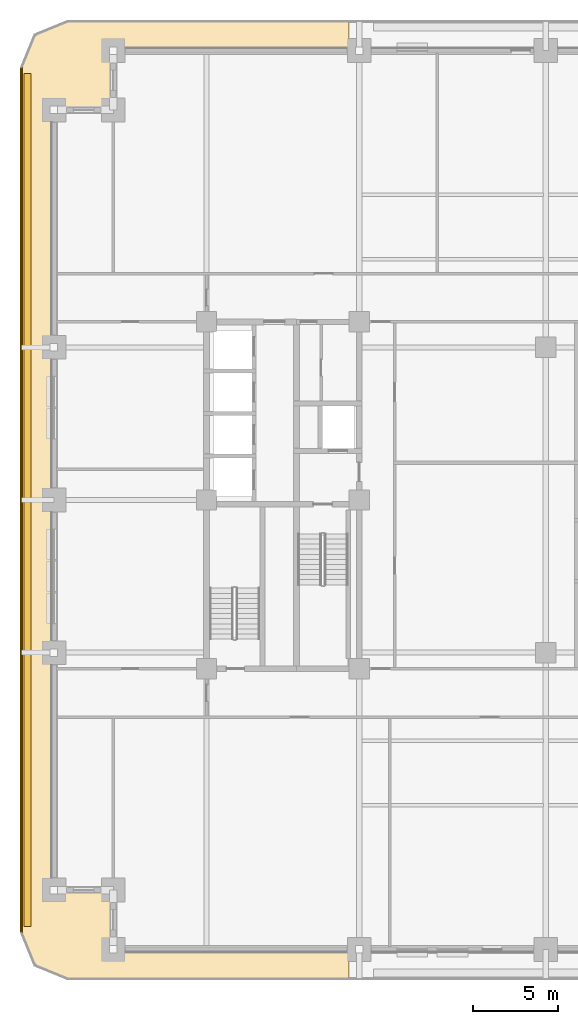
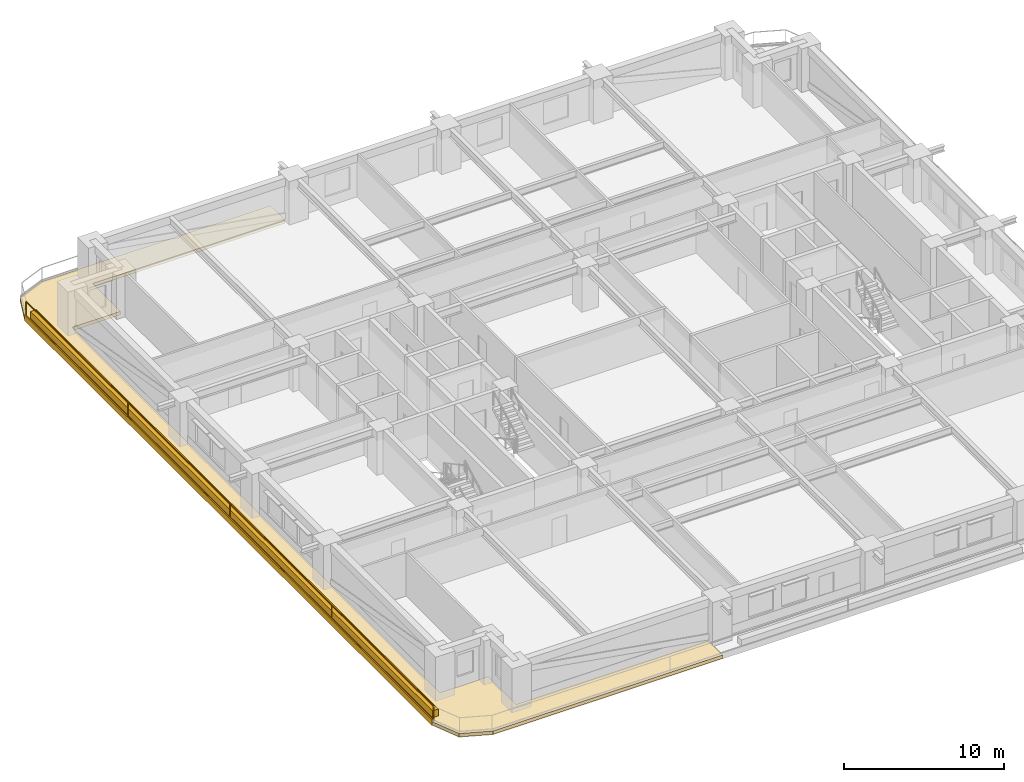
# One storey, part 9 of 14: 3 coverings, 1 railing.
"""IFC4 building model written with IfcOpenShell, lengths in metres."""

from ifc_helpers import new_model, si_unit, direction, frame, frame_2d, origin, origin_2d, place, context, subcontext, project, spatial, polyline, rectangle, outline, extrude, material, layer, layer_set, type_object, element, save


model = new_model("IFC4")

# Units and contexts
model_context = context("Model", 3, precision=1e-05, world=origin(), true_north=direction((0.0, 1.0)))
body_context = subcontext(model_context, "Body", "Model", "MODEL_VIEW")
ifc_project = project(units=[si_unit("LENGTHUNIT", "METRE"), si_unit("AREAUNIT", "SQUARE_METRE"), si_unit("VOLUMEUNIT", "CUBIC_METRE"), si_unit("PLANEANGLEUNIT", "RADIAN"), si_unit("MASSUNIT", "GRAM", prefix="KILO")], contexts=[model_context])

# Site, building, storey
site_placement = place(None, origin())
site = spatial("IfcSite", under=ifc_project, at=site_placement, CompositionType="ELEMENT")
building_placement = place(site_placement, origin())
building = spatial("IfcBuilding", under=site, at=building_placement, Name="Zulmaris Gate Convention Tower", CompositionType="ELEMENT")
storey_placement = place(building_placement, frame((0.0, 0.0, 64.329833984375)))
storey = spatial("IfcBuildingStorey", under=building, at=storey_placement, Name="L15", CompositionType="ELEMENT", Elevation=64.329833984375)

# Coverings
ifc_material_1 = material(Name="White Glazed Architectural Precast Concrete C40/50", Category="concrete")
ifc_layer_1 = layer(ifc_material_1, 0.239990234375, Name="White Glazed Architectural Precast Concrete C40/50")
ifc_layer_set_1 = layer_set([ifc_layer_1], Name="White Glazed Architectural Precast Concrete C40/50")
covering_type_1 = type_object("IfcCoveringType", Name="CLAD-TRAY-DECK", PredefinedType="CLADDING", material=ifc_layer_set_1)
covering_1_placement = place(storey_placement, frame((0.0, 0.0, -0.300048828125)))
element("IfcCovering", 1, at=covering_1_placement, inside=storey, type_object=covering_type_1, Name="L15 West Rounded-Fascia Planter Tray Deck", PredefinedType="CLADDING", context=body_context, shape_type="SweptSolid", body=[
    extrude(outline(polyline([(-31.0, 25.5), (-30.179931640625, 27.47998046875), (-28.199951171875, 28.300048828125), (-11.60205078125, 28.300048828125), (-11.60205078125, 26.5), (-25.5, 26.5), (-25.5, 23.0), (-29.0, 23.0), (-29.0, -23.0), (-25.5, -23.0), (-25.5, -26.5), (-11.60205078125, -26.5), (-11.60205078125, -28.300048828125), (-28.199951171875, -28.300048828125), (-30.179931640625, -27.47998046875), (-31.0, -25.5), (-31.0, 25.5)])), origin(), (0.0, 0.0, 1.0), 0.260009765625),
])
ifc_layer_2 = layer(ifc_material_1, 0.080078125, Name="White Glazed Architectural Precast Concrete C40/50")
ifc_layer_set_2 = layer_set([ifc_layer_2], Name="White Glazed Architectural Precast Concrete C40/50")
covering_type_2 = type_object("IfcCoveringType", Name="CLAD-TRAY-FASCIA", PredefinedType="CLADDING", material=ifc_layer_set_2)
covering_2_placement = place(storey_placement, frame((-30.9599609375, 25.5, -0.340087890625), z_axis=(0.0, 0.0, 1.0), x_axis=(0.0, -1.0, 0.0)))
element("IfcCovering", 2, at=covering_2_placement, inside=storey, type_object=covering_type_2, Name="FSC-L15-TR-11", PredefinedType="CLADDING", context=body_context, shape_type="SweptSolid", body=[
    extrude(rectangle(XDim=51.0, YDim=0.080078125, at=frame_2d((25.5, 0.0))), origin(), (0.0, 0.0, 1.0), 0.4599609375),
])
ifc_material_2 = material(Name="Botanical Green Glazed Precast Concrete C40/50", Category="concrete")
ifc_layer_3 = layer(ifc_material_2, 0.419921875, Name="Botanical Green Glazed Precast Concrete C40/50")
ifc_layer_set_3 = layer_set([ifc_layer_3], Name="Botanical Green Glazed Precast Concrete C40/50")
covering_type_3 = type_object("IfcCoveringType", Name="PLANTER-BOX-200", PredefinedType="CLADDING", material=ifc_layer_set_3)
covering_3_placement = place(storey_placement, frame((0.0, 0.0, -0.0400390625)))
element("IfcCovering", 3, at=covering_3_placement, inside=storey, type_object=covering_type_3, Name="L15 W Full-Length Balcony Tree Planter Trough", PredefinedType="CLADDING", context=body_context, shape_type="SweptSolid", body=[
    extrude(outline(polyline([(-30.760009765625, -25.14990234375), (-30.340087890625, -25.14990234375), (-30.340087890625, 25.14990234375), (-30.760009765625, 25.14990234375), (-30.760009765625, -25.14990234375)])), origin(), (0.0, 0.0, 1.0), 0.52001953125),
])

# Railing
ifc_material_3 = material(Name="Laminated Glass and Stainless Steel", Category="steel")
railing_type = type_object("IfcRailingType", Name="RL-BALC-1150", PredefinedType="BALUSTRADE", material=ifc_material_3)
railing_placement = place(storey_placement, frame((-30.8798828125, 25.5, -0.0400390625)))
element("IfcRailing", 4, at=railing_placement, inside=storey, type_object=railing_type, Name="RL-L15-BALC-W", PredefinedType="BALUSTRADE", context=body_context, shape_type="SweptSolid", body=[
    extrude(rectangle(XDim=0.048095703125, YDim=0.048095703125, at=origin_2d()), frame((0.0, 0.0, 1.1259765625), z_axis=(0.0, -1.0, 0.0), x_axis=(1.0, 0.0, 0.0)), (0.0, 0.0, 1.0), 51.0),
    extrude(rectangle(XDim=0.048095703125, YDim=0.048095703125, at=origin_2d()), frame((0.0, 0.0, 0.02392578125), z_axis=(0.0, -1.0, 0.0), x_axis=(1.0, 0.0, 0.0)), (0.0, 0.0, 1.0), 51.0),
    extrude(rectangle(XDim=0.0419921875, YDim=0.0419921875, at=origin_2d()), origin(), (0.0, 0.0, 1.0), 1.101806640625),
    extrude(rectangle(XDim=0.0419921875, YDim=0.0419921875, at=origin_2d()), frame((0.0, -12.75, 0.0)), (0.0, 0.0, 1.0), 1.101806640625),
    extrude(rectangle(XDim=0.0419921875, YDim=0.0419921875, at=origin_2d()), frame((0.0, -25.5, 0.0)), (0.0, 0.0, 1.0), 1.101806640625),
    extrude(rectangle(XDim=0.0419921875, YDim=0.0419921875, at=origin_2d()), frame((0.0, -38.25, 0.0)), (0.0, 0.0, 1.0), 1.101806640625),
    extrude(rectangle(XDim=0.0419921875, YDim=0.0419921875, at=origin_2d()), frame((0.0, -51.0, 0.0)), (0.0, 0.0, 1.0), 1.101806640625),
])

save(model, "model.ifc")
